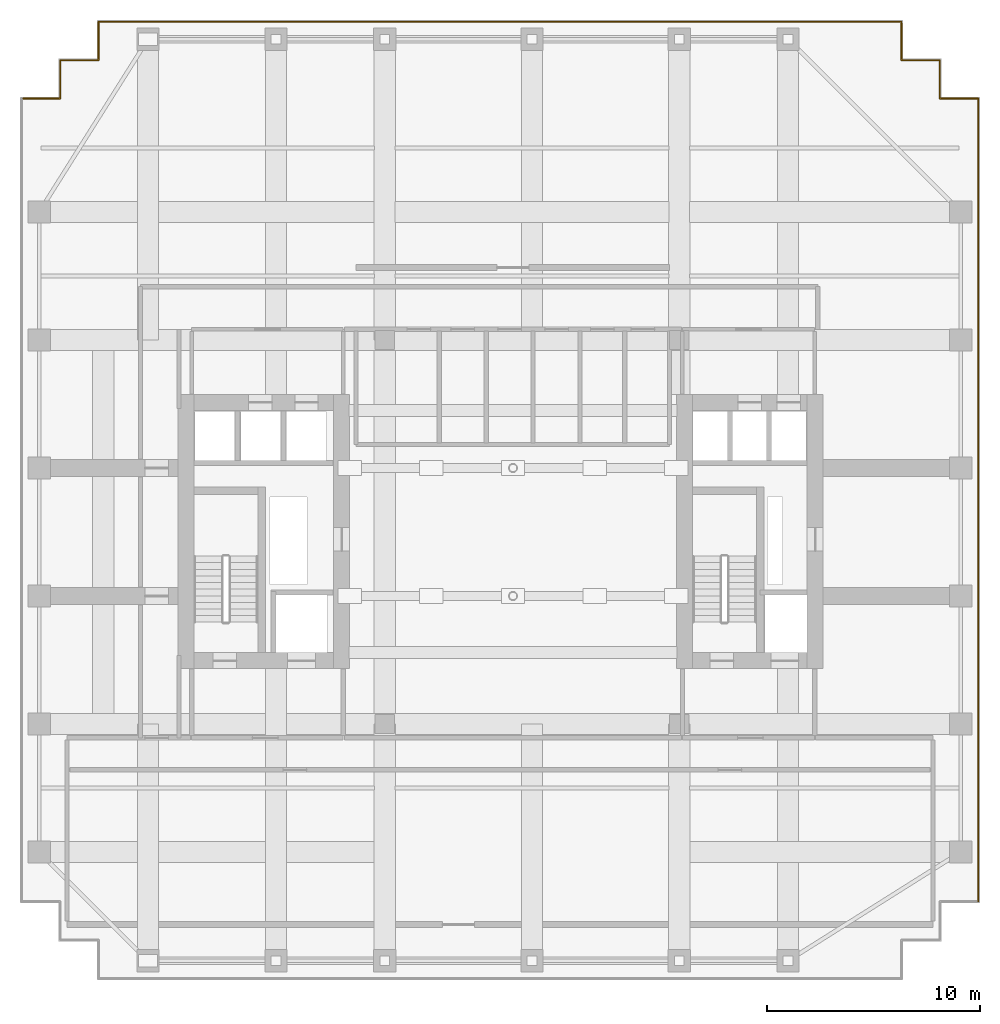
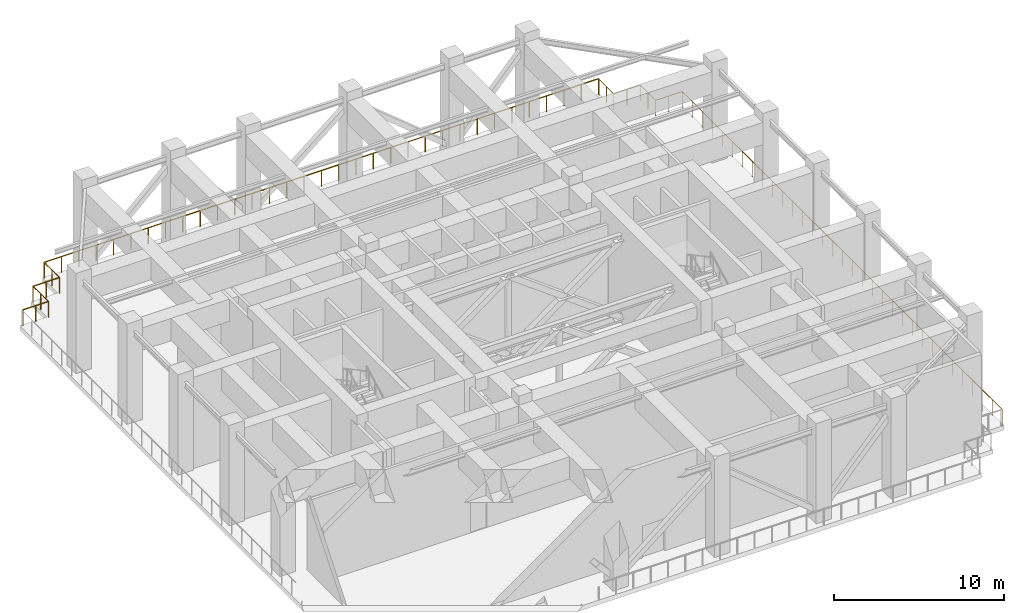
# One storey, part 10 of 10: 2 railings.
"""IFC4 building model written with IfcOpenShell, lengths in metres."""

from ifc_helpers import new_model, si_unit, direction, frame, origin, origin_2d, place, context, subcontext, project, spatial, circle, extrude, material, type_object, element, save


model = new_model("IFC4")

# Units and contexts
model_context = context("Model", 3, precision=1e-05, world=origin(), true_north=direction((0.0, 1.0)))
body_context = subcontext(model_context, "Body", "Model", "MODEL_VIEW")
ifc_project = project(units=[si_unit("LENGTHUNIT", "METRE"), si_unit("AREAUNIT", "SQUARE_METRE"), si_unit("VOLUMEUNIT", "CUBIC_METRE"), si_unit("PLANEANGLEUNIT", "RADIAN"), si_unit("MASSUNIT", "GRAM", prefix="KILO")], contexts=[model_context])

# Site, building, storey
site_placement = place(None, origin())
site = spatial("IfcSite", under=ifc_project, at=site_placement, CompositionType="ELEMENT")
building_placement = place(site_placement, origin())
building = spatial("IfcBuilding", under=site, at=building_placement, Name="Khoralis Quay Care Tower", CompositionType="ELEMENT")
storey_placement = place(building_placement, frame((0.0, 0.0, 148.5)))
storey = spatial("IfcBuildingStorey", under=building, at=storey_placement, Name="L39", CompositionType="ELEMENT", Elevation=148.5)

# Railings
ifc_material = material(Name="Pale anodised aluminium", Category="aluminium")
railing_type = type_object("IfcRailingType", Name="RL-BALUST-1150", PredefinedType="BALUSTRADE", material=ifc_material)
railing_1_placement = place(storey_placement, frame((44.919921875, 3.679931640625, 0.0)))
element("IfcRailing", 1, at=railing_1_placement, inside=storey, type_object=railing_type, Name="L39 Open Wind-Slot Portal Perimeter Guard 1.2", PredefinedType="BALUSTRADE", context=body_context, shape_type="SweptSolid", body=[
    extrude(circle(Radius=0.02392578125, at=origin_2d()), frame((0.0, 0.0, 1.1259765625), z_axis=(0.0, 1.0, 0.0), x_axis=(-1.0, 0.0, 0.0)), (0.0, 0.0, 1.0), 37.64013671875),
    extrude(circle(Radius=0.02392578125, at=origin_2d()), frame((0.0, 37.64013671875, 1.1259765625), z_axis=(-1.0, 0.0, 0.0), x_axis=(0.0, -1.0, 0.0)), (0.0, 0.0, 1.0), 1.7998046875),
    extrude(circle(Radius=0.02392578125, at=origin_2d()), frame((-1.7998046875, 37.64013671875, 1.1259765625), z_axis=(0.0, 1.0, 0.0), x_axis=(-1.0, 0.0, 0.0)), (0.0, 0.0, 1.0), 1.800048828125),
    extrude(circle(Radius=0.02392578125, at=origin_2d()), frame((-1.7998046875, 39.440185546875, 1.1259765625), z_axis=(-1.0, 0.0, 0.0), x_axis=(0.0, -1.0, 0.0)), (0.0, 0.0, 1.0), 1.800048828125),
    extrude(circle(Radius=0.02392578125, at=origin_2d()), frame((-3.599853515625, 39.440185546875, 1.1259765625), z_axis=(0.0, 1.0, 0.0), x_axis=(-1.0, 0.0, 0.0)), (0.0, 0.0, 1.0), 1.719970703125),
    extrude(circle(Radius=0.02099609375, at=origin_2d()), origin(), (0.0, 0.0, 1.0), 1.101806640625),
    extrude(circle(Radius=0.02099609375, at=origin_2d()), frame((0.0, 1.17626953125, 0.0)), (0.0, 0.0, 1.0), 1.101806640625),
    extrude(circle(Radius=0.02099609375, at=origin_2d()), frame((0.0, 2.3525390625, 0.0)), (0.0, 0.0, 1.0), 1.101806640625),
    extrude(circle(Radius=0.02099609375, at=origin_2d()), frame((0.0, 3.52880859375, 0.0)), (0.0, 0.0, 1.0), 1.101806640625),
    extrude(circle(Radius=0.02099609375, at=origin_2d()), frame((0.0, 4.705078125, 0.0)), (0.0, 0.0, 1.0), 1.101806640625),
    extrude(circle(Radius=0.02099609375, at=origin_2d()), frame((0.0, 5.88134765625, 0.0)), (0.0, 0.0, 1.0), 1.101806640625),
    extrude(circle(Radius=0.02099609375, at=origin_2d()), frame((0.0, 7.0576171875, 0.0)), (0.0, 0.0, 1.0), 1.101806640625),
    extrude(circle(Radius=0.02099609375, at=origin_2d()), frame((0.0, 8.23388671875, 0.0)), (0.0, 0.0, 1.0), 1.101806640625),
    extrude(circle(Radius=0.02099609375, at=origin_2d()), frame((0.0, 9.41015625, 0.0)), (0.0, 0.0, 1.0), 1.101806640625),
    extrude(circle(Radius=0.02099609375, at=origin_2d()), frame((0.0, 10.586181640625, 0.0)), (0.0, 0.0, 1.0), 1.101806640625),
    extrude(circle(Radius=0.02099609375, at=origin_2d()), frame((0.0, 11.762451171875, 0.0)), (0.0, 0.0, 1.0), 1.101806640625),
    extrude(circle(Radius=0.02099609375, at=origin_2d()), frame((0.0, 12.938720703125, 0.0)), (0.0, 0.0, 1.0), 1.101806640625),
    extrude(circle(Radius=0.02099609375, at=origin_2d()), frame((0.0, 14.114990234375, 0.0)), (0.0, 0.0, 1.0), 1.101806640625),
    extrude(circle(Radius=0.02099609375, at=origin_2d()), frame((0.0, 15.291259765625, 0.0)), (0.0, 0.0, 1.0), 1.101806640625),
    extrude(circle(Radius=0.02099609375, at=origin_2d()), frame((0.0, 16.467529296875, 0.0)), (0.0, 0.0, 1.0), 1.101806640625),
    extrude(circle(Radius=0.02099609375, at=origin_2d()), frame((0.0, 17.643798828125, 0.0)), (0.0, 0.0, 1.0), 1.101806640625),
    extrude(circle(Radius=0.02099609375, at=origin_2d()), frame((0.0, 18.820068359375, 0.0)), (0.0, 0.0, 1.0), 1.101806640625),
    extrude(circle(Radius=0.02099609375, at=origin_2d()), frame((0.0, 19.996337890625, 0.0)), (0.0, 0.0, 1.0), 1.101806640625),
    extrude(circle(Radius=0.02099609375, at=origin_2d()), frame((0.0, 21.172607421875, 0.0)), (0.0, 0.0, 1.0), 1.101806640625),
    extrude(circle(Radius=0.02099609375, at=origin_2d()), frame((0.0, 22.348876953125, 0.0)), (0.0, 0.0, 1.0), 1.101806640625),
    extrude(circle(Radius=0.02099609375, at=origin_2d()), frame((0.0, 23.525146484375, 0.0)), (0.0, 0.0, 1.0), 1.101806640625),
    extrude(circle(Radius=0.02099609375, at=origin_2d()), frame((0.0, 24.701416015625, 0.0)), (0.0, 0.0, 1.0), 1.101806640625),
    extrude(circle(Radius=0.02099609375, at=origin_2d()), frame((0.0, 25.877685546875, 0.0)), (0.0, 0.0, 1.0), 1.101806640625),
    extrude(circle(Radius=0.02099609375, at=origin_2d()), frame((0.0, 27.053955078125, 0.0)), (0.0, 0.0, 1.0), 1.101806640625),
    extrude(circle(Radius=0.02099609375, at=origin_2d()), frame((0.0, 28.22998046875, 0.0)), (0.0, 0.0, 1.0), 1.101806640625),
    extrude(circle(Radius=0.02099609375, at=origin_2d()), frame((0.0, 29.40625, 0.0)), (0.0, 0.0, 1.0), 1.101806640625),
    extrude(circle(Radius=0.02099609375, at=origin_2d()), frame((0.0, 30.58251953125, 0.0)), (0.0, 0.0, 1.0), 1.101806640625),
    extrude(circle(Radius=0.02099609375, at=origin_2d()), frame((0.0, 31.7587890625, 0.0)), (0.0, 0.0, 1.0), 1.101806640625),
    extrude(circle(Radius=0.02099609375, at=origin_2d()), frame((0.0, 32.93505859375, 0.0)), (0.0, 0.0, 1.0), 1.101806640625),
    extrude(circle(Radius=0.02099609375, at=origin_2d()), frame((0.0, 34.111328125, 0.0)), (0.0, 0.0, 1.0), 1.101806640625),
    extrude(circle(Radius=0.02099609375, at=origin_2d()), frame((0.0, 35.28759765625, 0.0)), (0.0, 0.0, 1.0), 1.101806640625),
    extrude(circle(Radius=0.02099609375, at=origin_2d()), frame((0.0, 36.4638671875, 0.0)), (0.0, 0.0, 1.0), 1.101806640625),
    extrude(circle(Radius=0.02099609375, at=origin_2d()), frame((0.0, 37.64013671875, 0.0)), (0.0, 0.0, 1.0), 1.101806640625),
    extrude(circle(Radius=0.02099609375, at=origin_2d()), frame((-0.89990234375, 37.64013671875, 0.0)), (0.0, 0.0, 1.0), 1.101806640625),
    extrude(circle(Radius=0.02099609375, at=origin_2d()), frame((-1.7998046875, 37.64013671875, 0.0)), (0.0, 0.0, 1.0), 1.101806640625),
    extrude(circle(Radius=0.02099609375, at=origin_2d()), frame((-1.7998046875, 38.5400390625, 0.0)), (0.0, 0.0, 1.0), 1.101806640625),
    extrude(circle(Radius=0.02099609375, at=origin_2d()), frame((-1.7998046875, 39.440185546875, 0.0)), (0.0, 0.0, 1.0), 1.101806640625),
    extrude(circle(Radius=0.02099609375, at=origin_2d()), frame((-2.69970703125, 39.440185546875, 0.0)), (0.0, 0.0, 1.0), 1.101806640625),
    extrude(circle(Radius=0.02099609375, at=origin_2d()), frame((-3.599853515625, 39.440185546875, 0.0)), (0.0, 0.0, 1.0), 1.101806640625),
    extrude(circle(Radius=0.02099609375, at=origin_2d()), frame((-3.599853515625, 40.30029296875, 0.0)), (0.0, 0.0, 1.0), 1.101806640625),
    extrude(circle(Radius=0.02099609375, at=origin_2d()), frame((-3.599853515625, 41.16015625, 0.0)), (0.0, 0.0, 1.0), 1.101806640625),
])
railing_2_placement = place(storey_placement, frame((41.320068359375, 44.919921875, 0.0)))
element("IfcRailing", 2, at=railing_2_placement, inside=storey, type_object=railing_type, Name="L39 Open Wind-Slot Portal Perimeter Guard 1.3", PredefinedType="BALUSTRADE", context=body_context, shape_type="SweptSolid", body=[
    extrude(circle(Radius=0.02392578125, at=origin_2d()), frame((0.0, 0.0, 1.1259765625), z_axis=(-1.0, 0.0, 0.0), x_axis=(0.0, -1.0, 0.0)), (0.0, 0.0, 1.0), 37.64013671875),
    extrude(circle(Radius=0.02392578125, at=origin_2d()), frame((-37.64013671875, 0.0, 1.1259765625), z_axis=(0.0, -1.0, 0.0), x_axis=(1.0, 0.0, 0.0)), (0.0, 0.0, 1.0), 1.7998046875),
    extrude(circle(Radius=0.02392578125, at=origin_2d()), frame((-37.64013671875, -1.7998046875, 1.1259765625), z_axis=(-1.0, 0.0, 0.0), x_axis=(0.0, -1.0, 0.0)), (0.0, 0.0, 1.0), 1.800048828125),
    extrude(circle(Radius=0.02392578125, at=origin_2d()), frame((-39.440185546875, -1.7998046875, 1.1259765625), z_axis=(0.0, -1.0, 0.0), x_axis=(1.0, 0.0, 0.0)), (0.0, 0.0, 1.0), 1.800048828125),
    extrude(circle(Radius=0.02392578125, at=origin_2d()), frame((-39.440185546875, -3.599853515625, 1.1259765625), z_axis=(-1.0, 0.0, 0.0), x_axis=(0.0, -1.0, 0.0)), (0.0, 0.0, 1.0), 1.719970703125),
    extrude(circle(Radius=0.02099609375, at=origin_2d()), origin(), (0.0, 0.0, 1.0), 1.101806640625),
    extrude(circle(Radius=0.02099609375, at=origin_2d()), frame((-1.17626953125, 0.0, 0.0)), (0.0, 0.0, 1.0), 1.101806640625),
    extrude(circle(Radius=0.02099609375, at=origin_2d()), frame((-2.3525390625, 0.0, 0.0)), (0.0, 0.0, 1.0), 1.101806640625),
    extrude(circle(Radius=0.02099609375, at=origin_2d()), frame((-3.52880859375, 0.0, 0.0)), (0.0, 0.0, 1.0), 1.101806640625),
    extrude(circle(Radius=0.02099609375, at=origin_2d()), frame((-4.705078125, 0.0, 0.0)), (0.0, 0.0, 1.0), 1.101806640625),
    extrude(circle(Radius=0.02099609375, at=origin_2d()), frame((-5.88134765625, 0.0, 0.0)), (0.0, 0.0, 1.0), 1.101806640625),
    extrude(circle(Radius=0.02099609375, at=origin_2d()), frame((-7.0576171875, 0.0, 0.0)), (0.0, 0.0, 1.0), 1.101806640625),
    extrude(circle(Radius=0.02099609375, at=origin_2d()), frame((-8.23388671875, 0.0, 0.0)), (0.0, 0.0, 1.0), 1.101806640625),
    extrude(circle(Radius=0.02099609375, at=origin_2d()), frame((-9.41015625, 0.0, 0.0)), (0.0, 0.0, 1.0), 1.101806640625),
    extrude(circle(Radius=0.02099609375, at=origin_2d()), frame((-10.586181640625, 0.0, 0.0)), (0.0, 0.0, 1.0), 1.101806640625),
    extrude(circle(Radius=0.02099609375, at=origin_2d()), frame((-11.762451171875, 0.0, 0.0)), (0.0, 0.0, 1.0), 1.101806640625),
    extrude(circle(Radius=0.02099609375, at=origin_2d()), frame((-12.938720703125, 0.0, 0.0)), (0.0, 0.0, 1.0), 1.101806640625),
    extrude(circle(Radius=0.02099609375, at=origin_2d()), frame((-14.114990234375, 0.0, 0.0)), (0.0, 0.0, 1.0), 1.101806640625),
    extrude(circle(Radius=0.02099609375, at=origin_2d()), frame((-15.291259765625, 0.0, 0.0)), (0.0, 0.0, 1.0), 1.101806640625),
    extrude(circle(Radius=0.02099609375, at=origin_2d()), frame((-16.467529296875, 0.0, 0.0)), (0.0, 0.0, 1.0), 1.101806640625),
    extrude(circle(Radius=0.02099609375, at=origin_2d()), frame((-17.643798828125, 0.0, 0.0)), (0.0, 0.0, 1.0), 1.101806640625),
    extrude(circle(Radius=0.02099609375, at=origin_2d()), frame((-18.820068359375, 0.0, 0.0)), (0.0, 0.0, 1.0), 1.101806640625),
    extrude(circle(Radius=0.02099609375, at=origin_2d()), frame((-19.996337890625, 0.0, 0.0)), (0.0, 0.0, 1.0), 1.101806640625),
    extrude(circle(Radius=0.02099609375, at=origin_2d()), frame((-21.172607421875, 0.0, 0.0)), (0.0, 0.0, 1.0), 1.101806640625),
    extrude(circle(Radius=0.02099609375, at=origin_2d()), frame((-22.348876953125, 0.0, 0.0)), (0.0, 0.0, 1.0), 1.101806640625),
    extrude(circle(Radius=0.02099609375, at=origin_2d()), frame((-23.525146484375, 0.0, 0.0)), (0.0, 0.0, 1.0), 1.101806640625),
    extrude(circle(Radius=0.02099609375, at=origin_2d()), frame((-24.701416015625, 0.0, 0.0)), (0.0, 0.0, 1.0), 1.101806640625),
    extrude(circle(Radius=0.02099609375, at=origin_2d()), frame((-25.877685546875, 0.0, 0.0)), (0.0, 0.0, 1.0), 1.101806640625),
    extrude(circle(Radius=0.02099609375, at=origin_2d()), frame((-27.053955078125, 0.0, 0.0)), (0.0, 0.0, 1.0), 1.101806640625),
    extrude(circle(Radius=0.02099609375, at=origin_2d()), frame((-28.22998046875, 0.0, 0.0)), (0.0, 0.0, 1.0), 1.101806640625),
    extrude(circle(Radius=0.02099609375, at=origin_2d()), frame((-29.40625, 0.0, 0.0)), (0.0, 0.0, 1.0), 1.101806640625),
    extrude(circle(Radius=0.02099609375, at=origin_2d()), frame((-30.58251953125, 0.0, 0.0)), (0.0, 0.0, 1.0), 1.101806640625),
    extrude(circle(Radius=0.02099609375, at=origin_2d()), frame((-31.7587890625, 0.0, 0.0)), (0.0, 0.0, 1.0), 1.101806640625),
    extrude(circle(Radius=0.02099609375, at=origin_2d()), frame((-32.93505859375, 0.0, 0.0)), (0.0, 0.0, 1.0), 1.101806640625),
    extrude(circle(Radius=0.02099609375, at=origin_2d()), frame((-34.111328125, 0.0, 0.0)), (0.0, 0.0, 1.0), 1.101806640625),
    extrude(circle(Radius=0.02099609375, at=origin_2d()), frame((-35.28759765625, 0.0, 0.0)), (0.0, 0.0, 1.0), 1.101806640625),
    extrude(circle(Radius=0.02099609375, at=origin_2d()), frame((-36.4638671875, 0.0, 0.0)), (0.0, 0.0, 1.0), 1.101806640625),
    extrude(circle(Radius=0.02099609375, at=origin_2d()), frame((-37.64013671875, 0.0, 0.0)), (0.0, 0.0, 1.0), 1.101806640625),
    extrude(circle(Radius=0.02099609375, at=origin_2d()), frame((-37.64013671875, -0.89990234375, 0.0)), (0.0, 0.0, 1.0), 1.101806640625),
    extrude(circle(Radius=0.02099609375, at=origin_2d()), frame((-37.64013671875, -1.7998046875, 0.0)), (0.0, 0.0, 1.0), 1.101806640625),
    extrude(circle(Radius=0.02099609375, at=origin_2d()), frame((-38.5400390625, -1.7998046875, 0.0)), (0.0, 0.0, 1.0), 1.101806640625),
    extrude(circle(Radius=0.02099609375, at=origin_2d()), frame((-39.440185546875, -1.7998046875, 0.0)), (0.0, 0.0, 1.0), 1.101806640625),
    extrude(circle(Radius=0.02099609375, at=origin_2d()), frame((-39.440185546875, -2.69970703125, 0.0)), (0.0, 0.0, 1.0), 1.101806640625),
    extrude(circle(Radius=0.02099609375, at=origin_2d()), frame((-39.440185546875, -3.599853515625, 0.0)), (0.0, 0.0, 1.0), 1.101806640625),
    extrude(circle(Radius=0.02099609375, at=origin_2d()), frame((-40.30029296875, -3.599853515625, 0.0)), (0.0, 0.0, 1.0), 1.101806640625),
    extrude(circle(Radius=0.02099609375, at=origin_2d()), frame((-41.16015625, -3.599853515625, 0.0)), (0.0, 0.0, 1.0), 1.101806640625),
])

save(model, "model.ifc")
